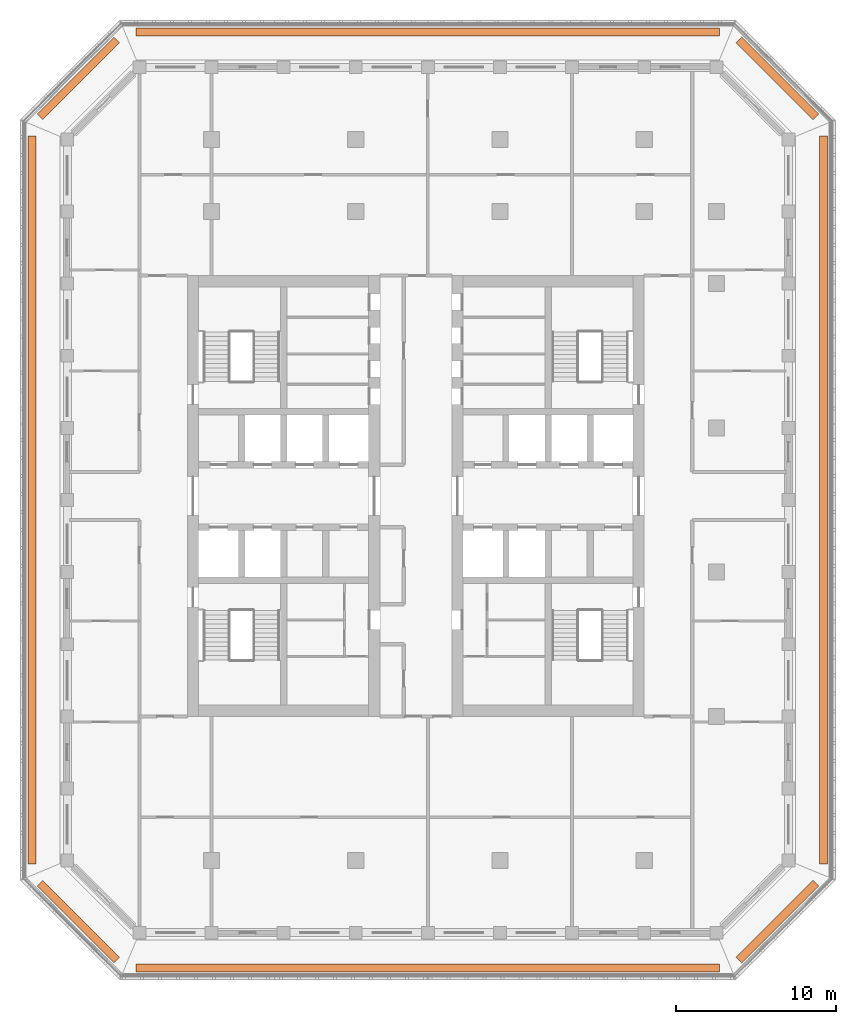
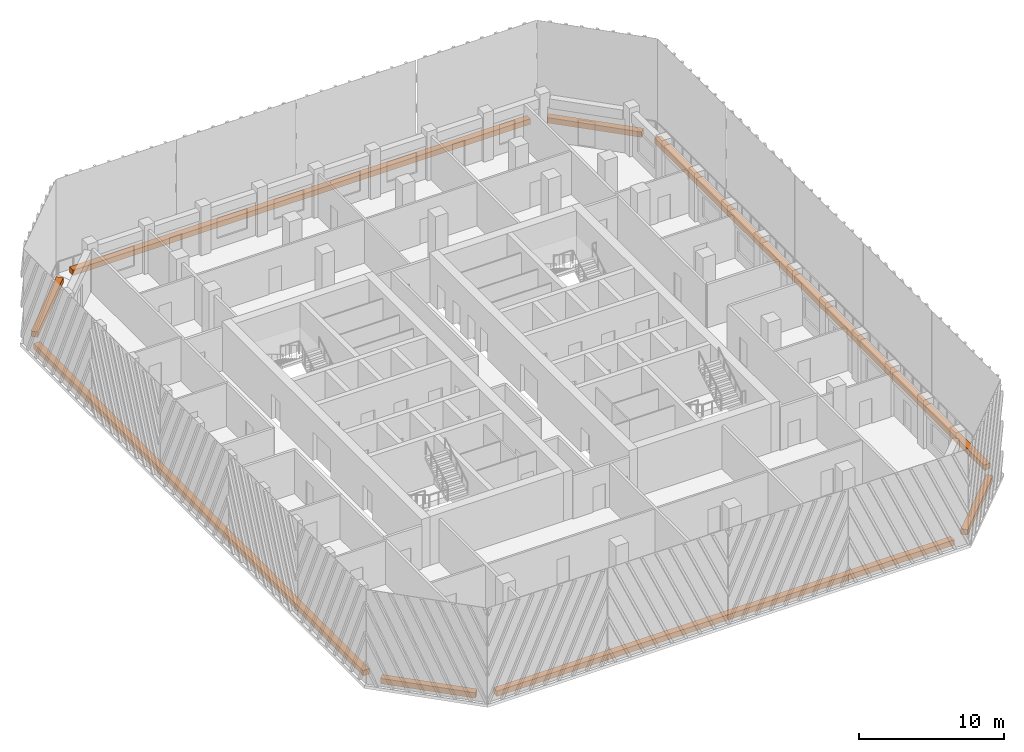
# One storey, part 17 of 17: 8 proxies.
"""IFC4 building model written with IfcOpenShell, lengths in metres."""

from ifc_helpers import new_model, si_unit, direction, frame, origin, origin_2d, place, context, subcontext, project, spatial, rectangle, extrude, material, type_object, element, save


model = new_model("IFC4")

# Units and contexts
model_context = context("Model", 3, precision=1e-05, world=origin(), true_north=direction((0.0, 1.0)))
body_context = subcontext(model_context, "Body", "Model", "MODEL_VIEW")
ifc_project = project(units=[si_unit("LENGTHUNIT", "METRE"), si_unit("AREAUNIT", "SQUARE_METRE"), si_unit("VOLUMEUNIT", "CUBIC_METRE"), si_unit("PLANEANGLEUNIT", "RADIAN"), si_unit("MASSUNIT", "GRAM", prefix="KILO")], contexts=[model_context])

# Site, building, storey
site_placement = place(None, origin())
site = spatial("IfcSite", under=ifc_project, at=site_placement, CompositionType="ELEMENT")
building_placement = place(site_placement, origin())
building = spatial("IfcBuilding", under=site, at=building_placement, Name="Corbel Stack Research Tower", CompositionType="ELEMENT")
storey_placement = place(building_placement, frame((0.0, 0.0, 239.800048828125)))
storey = spatial("IfcBuildingStorey", under=building, at=storey_placement, Name="L54", CompositionType="ELEMENT", Elevation=239.800048828125)

# Proxies
ifc_material = material(Name="Concrete C45/55", Category="concrete")
building_element_proxy_type = type_object("IfcBuildingElementProxyType", Name="Planter box", PredefinedType="USERDEFINED", material=ifc_material)
proxy_1_placement = place(storey_placement, frame((4.5, -24.699951171875, 0.0), z_axis=(0.0, 0.0, 1.0), x_axis=(1.0, 0.0, 0.0)))
element("IfcBuildingElementProxy", 1, at=proxy_1_placement, inside=storey, type_object=building_element_proxy_type, Name="Planter L54 S", ObjectType="PLANTER", PredefinedType="USERDEFINED", context=body_context, shape_type="SweptSolid", body=[
    extrude(rectangle(XDim=36.41064453125, YDim=0.5, at=origin_2d()), origin(), (0.0, 0.0, 1.0), 0.449951171875),
])
proxy_2_placement = place(storey_placement, frame((26.3056640625, -21.8056640625, 0.0), z_axis=(0.0, 0.0, 1.0), x_axis=(0.707106781187, 0.707106781187, 0.0)))
element("IfcBuildingElementProxy", 2, at=proxy_2_placement, inside=storey, type_object=building_element_proxy_type, Name="Planter L54 SE", ObjectType="PLANTER", PredefinedType="USERDEFINED", context=body_context, shape_type="SweptSolid", body=[
    extrude(rectangle(XDim=6.774658203125, YDim=0.5, at=origin_2d()), origin(), (0.0, 0.0, 1.0), 0.449951171875),
])
proxy_3_placement = place(storey_placement, frame((29.199951171875, 4.5, 0.0), z_axis=(0.0, 0.0, 1.0), x_axis=(0.0, 1.0, 0.0)))
element("IfcBuildingElementProxy", 3, at=proxy_3_placement, inside=storey, type_object=building_element_proxy_type, Name="Planter L54 E", ObjectType="PLANTER", PredefinedType="USERDEFINED", context=body_context, shape_type="SweptSolid", body=[
    extrude(rectangle(XDim=45.41064453125, YDim=0.5, at=origin_2d()), origin(), (0.0, 0.0, 1.0), 0.449951171875),
])
proxy_4_placement = place(storey_placement, frame((26.3056640625, 30.8056640625, 0.0), z_axis=(0.0, 0.0, 1.0), x_axis=(-0.707106781187, 0.707106781187, 0.0)))
element("IfcBuildingElementProxy", 4, at=proxy_4_placement, inside=storey, type_object=building_element_proxy_type, Name="Planter L54 NE", ObjectType="PLANTER", PredefinedType="USERDEFINED", context=body_context, shape_type="SweptSolid", body=[
    extrude(rectangle(XDim=6.774658203125, YDim=0.5, at=origin_2d()), origin(), (0.0, 0.0, 1.0), 0.449951171875),
])
proxy_5_placement = place(storey_placement, frame((4.5, 33.699951171875, 0.0), z_axis=(0.0, 0.0, 1.0), x_axis=(-1.0, 0.0, 0.0)))
element("IfcBuildingElementProxy", 5, at=proxy_5_placement, inside=storey, type_object=building_element_proxy_type, Name="Planter L54 N", ObjectType="PLANTER", PredefinedType="USERDEFINED", context=body_context, shape_type="SweptSolid", body=[
    extrude(rectangle(XDim=36.41064453125, YDim=0.5, at=origin_2d()), origin(), (0.0, 0.0, 1.0), 0.449951171875),
])
proxy_6_placement = place(storey_placement, frame((-17.3056640625, 30.8056640625, 0.0), z_axis=(0.0, 0.0, 1.0), x_axis=(-0.707106781187, -0.707106781187, 0.0)))
element("IfcBuildingElementProxy", 6, at=proxy_6_placement, inside=storey, type_object=building_element_proxy_type, Name="Planter L54 NW", ObjectType="PLANTER", PredefinedType="USERDEFINED", context=body_context, shape_type="SweptSolid", body=[
    extrude(rectangle(XDim=6.774658203125, YDim=0.5, at=origin_2d()), origin(), (0.0, 0.0, 1.0), 0.449951171875),
])
proxy_7_placement = place(storey_placement, frame((-20.199951171875, 4.5, 0.0), z_axis=(0.0, 0.0, 1.0), x_axis=(0.0, -1.0, 0.0)))
element("IfcBuildingElementProxy", 7, at=proxy_7_placement, inside=storey, type_object=building_element_proxy_type, Name="Planter L54 W", ObjectType="PLANTER", PredefinedType="USERDEFINED", context=body_context, shape_type="SweptSolid", body=[
    extrude(rectangle(XDim=45.41064453125, YDim=0.5, at=origin_2d()), origin(), (0.0, 0.0, 1.0), 0.449951171875),
])
proxy_8_placement = place(storey_placement, frame((-17.3056640625, -21.8056640625, 0.0), z_axis=(0.0, 0.0, 1.0), x_axis=(0.707106781187, -0.707106781187, 0.0)))
element("IfcBuildingElementProxy", 8, at=proxy_8_placement, inside=storey, type_object=building_element_proxy_type, Name="Planter L54 SW", ObjectType="PLANTER", PredefinedType="USERDEFINED", context=body_context, shape_type="SweptSolid", body=[
    extrude(rectangle(XDim=6.774658203125, YDim=0.5, at=origin_2d()), origin(), (0.0, 0.0, 1.0), 0.449951171875),
])

save(model, "model.ifc")
